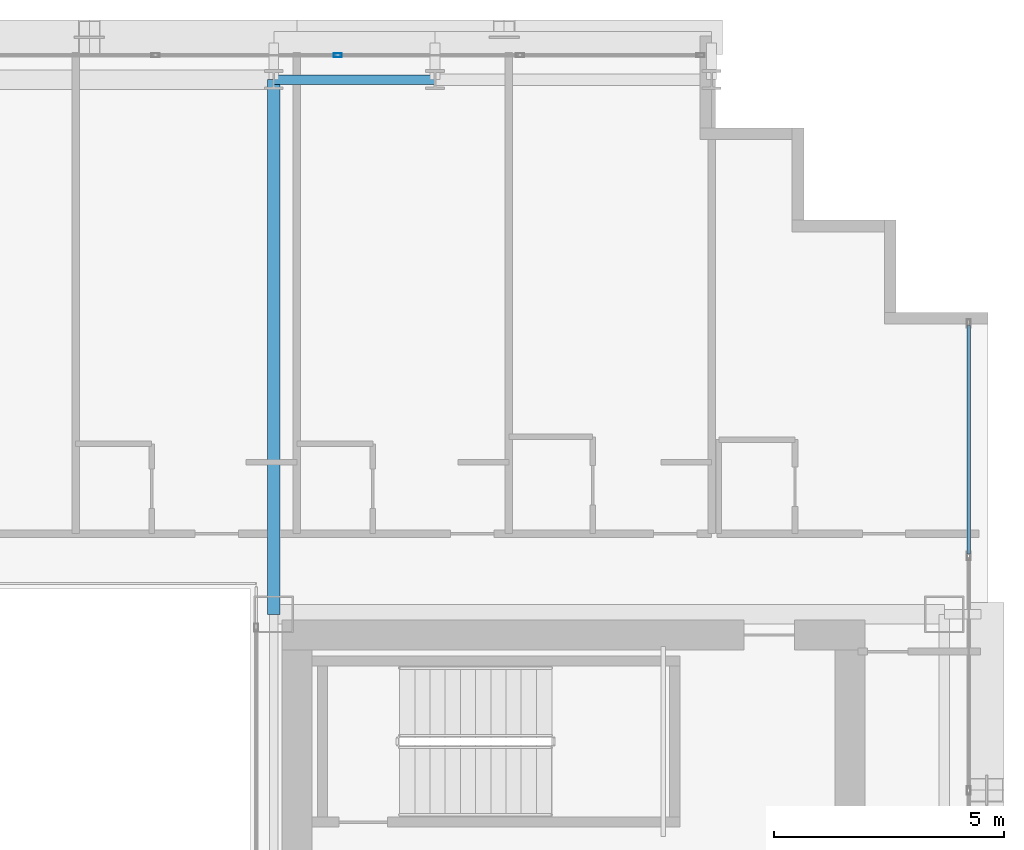
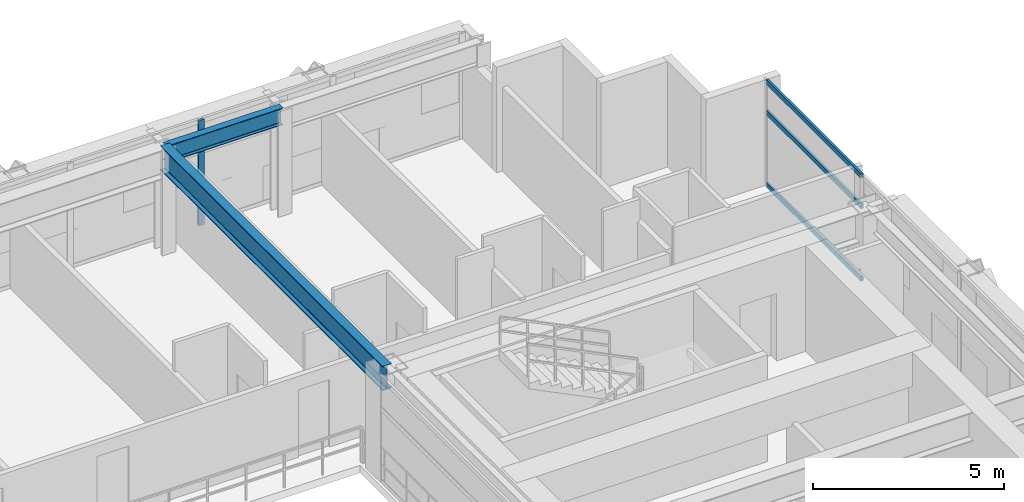
# One storey, part 24 of 39: 4 members, 2 beams, 2 elements without a shape of their own.
"""IFC4 building model written with IfcOpenShell, lengths in metres."""

from ifc_helpers import new_model, si_unit, direction, frame, origin, origin_2d, place, context, subcontext, project, spatial, hollow_rectangle, i_section, extrude, source, transform, mapped, material, layer, layer_set, material_profile, profile_set, type_object, element, aggregate, save


model = new_model("IFC4")

# Units and contexts
model_context = context("Model", 3, precision=1e-05, world=origin(), true_north=direction((0.0, 1.0)))
body_context = subcontext(model_context, "Body", "Model", "MODEL_VIEW")
ifc_project = project(units=[si_unit("LENGTHUNIT", "METRE"), si_unit("AREAUNIT", "SQUARE_METRE"), si_unit("VOLUMEUNIT", "CUBIC_METRE"), si_unit("PLANEANGLEUNIT", "RADIAN"), si_unit("MASSUNIT", "GRAM", prefix="KILO")], contexts=[model_context])

# Site, building, storey
site_placement = place(None, origin())
site = spatial("IfcSite", under=ifc_project, at=site_placement, CompositionType="ELEMENT")
building_placement = place(site_placement, origin())
building = spatial("IfcBuilding", under=site, at=building_placement, Name="Ocotamira Hotel", CompositionType="ELEMENT")
storey_placement = place(building_placement, frame((0.0, 0.0, 104.39990234375)))
storey = spatial("IfcBuildingStorey", under=building, at=storey_placement, Name="L25", CompositionType="ELEMENT", Elevation=104.39990234375)

# Beams
ifc_material_1 = material(Name="Steel ASTM A992 Grade 50", Category="steel")
ifc_material_profile_1 = material_profile(ifc_material_1, i_section(OverallWidth=0.2099609375, OverallDepth=0.537109375, WebThickness=0.010986328125, FlangeThickness=0.017333984375, FilletRadius=0.012939453125, at=origin_2d()), Name="W21X68")
ifc_profile_set_1 = profile_set([ifc_material_profile_1], Name="Steel ASTM A992 Grade 50")
beam_type_1 = type_object("IfcBeamType", Name="BM-SEC-W21X68", PredefinedType="JOIST", material=ifc_profile_set_1)
shared_shape_1 = source(origin(), body_context, "Body", "SweptSolid", [
    extrude(i_section(OverallWidth=0.2099609375, OverallDepth=0.537109375, WebThickness=0.010986328125, FlangeThickness=0.017333984375, FilletRadius=0.012939453125, at=origin_2d()), origin(), (0.0, 0.0, 1.0), 3.5),
])
beam_1_placement = place(storey_placement, frame((40.5, 49.050048828125, 3.091552734375), z_axis=(1.0, 0.0, 0.0), x_axis=(0.0, 1.0, 0.0)))
element("IfcBeam", 1, at=beam_1_placement, inside=storey, type_object=beam_type_1, Name="L25 Girder Y49.05 X40.5-44", PredefinedType="JOIST", context=body_context, shape_type="MappedRepresentation", body=[
    mapped(shared_shape_1, transform((0.0, 0.0, 0.0), scale=1.0)),
])
ifc_material_profile_2 = material_profile(ifc_material_1, i_section(OverallWidth=0.26611328125, OverallDepth=0.779052734375, WebThickness=0.0166015625, FlangeThickness=0.030029296875, FilletRadius=0.01806640625, at=origin_2d()), Name="W30X148")
ifc_profile_set_2 = profile_set([ifc_material_profile_2], Name="Steel ASTM A992 Grade 50")
beam_type_2 = type_object("IfcBeamType", Name="BM-GIRD-W30X148", PredefinedType="BEAM", material=ifc_profile_set_2)
shared_shape_2 = source(origin(), body_context, "Body", "SweptSolid", [
    extrude(i_section(OverallWidth=0.26611328125, OverallDepth=0.779052734375, WebThickness=0.0166015625, FlangeThickness=0.030029296875, FilletRadius=0.01806640625, at=origin_2d()), origin(), (0.0, 0.0, 1.0), 11.60009765625),
])
beam_2_placement = place(storey_placement, frame((40.5, 37.449951171875, 2.970703125), z_axis=(0.0, 1.0, 0.0), x_axis=(-1.0, 0.0, 0.0)))
element("IfcBeam", 2, at=beam_2_placement, inside=storey, type_object=beam_type_2, Name="L25 Beam X40.5 Y37.45-49.05", PredefinedType="BEAM", context=body_context, shape_type="MappedRepresentation", body=[
    mapped(shared_shape_2, transform((0.0, 0.0, 0.0), scale=1.0)),
])

# Curtain wall, members
ifc_material_2 = material(Name="Anodised pale-metal aluminium and solar glass", Category="aluminium")
ifc_layer = layer(ifc_material_2, 0.179931640625)
ifc_layer_set = layer_set([ifc_layer], Name="Anodised pale-metal aluminium and solar glass")
curtain_wall_type = type_object("IfcCurtainWallType", Name="CW-SYS3-Z2", PredefinedType="NOTDEFINED", material=ifc_layer_set)
curtain_wall_1_placement = place(storey_placement, origin())
curtain_wall_1 = element("IfcCurtainWall", 3, at=curtain_wall_1_placement, inside=storey, type_object=curtain_wall_type, Name="L25 Curtain Wall CW-3 CW-L25-E", PredefinedType="NOTDEFINED")
ifc_material_3 = material(Name="Anodised pale-metal aluminium 6063-T6", Category="aluminium")
ifc_material_profile_3 = material_profile(ifc_material_3, hollow_rectangle(XDim=0.074951171875, YDim=0.14990234375, WallThickness=0.006103515625, at=origin_2d()), Name="HSS150X75X6")
ifc_profile_set_3 = profile_set([ifc_material_profile_3], Name="Anodised pale-metal aluminium 6063-T6")
member_type_1 = type_object("IfcMemberType", Name="CWT-150X75", PredefinedType="USERDEFINED", material=ifc_profile_set_3)
shared_shape_3 = source(origin(), body_context, "Body", "SweptSolid", [
    extrude(hollow_rectangle(XDim=0.074951171875, YDim=0.14990234375, WallThickness=0.006103515625, at=origin_2d()), origin(), (0.0, 0.0, 1.0), 4.965576171875),
])
member_1_placement = place(storey_placement, frame((55.580078125, 38.75439453125, 0.03759765625), z_axis=(0.0, 1.0, 0.0), x_axis=(-1.0, 0.0, 0.0)))
member_1 = element("IfcMember", 4, at=member_1_placement, type_object=member_type_1, Name="CW-3 transom 7.1", ObjectType="TRANSOM", PredefinedType="USERDEFINED", context=body_context, shape_type="MappedRepresentation", body=[
    mapped(shared_shape_3, transform((0.0, 0.0, 0.0), scale=1.0)),
])
member_2_placement = place(storey_placement, frame((55.580078125, 38.75439453125, 2.35009765625), z_axis=(0.0, 1.0, 0.0), x_axis=(-1.0, 0.0, 0.0)))
member_2 = element("IfcMember", 5, at=member_2_placement, type_object=member_type_1, Name="CW-3 transom 7.2", ObjectType="TRANSOM", PredefinedType="USERDEFINED", context=body_context, shape_type="MappedRepresentation", body=[
    mapped(shared_shape_3, transform((0.0, 0.0, 0.0), scale=1.0)),
])
member_3_placement = place(storey_placement, frame((55.580078125, 38.75439453125, 3.322509765625), z_axis=(0.0, 1.0, 0.0), x_axis=(-1.0, 0.0, 0.0)))
member_3 = element("IfcMember", 6, at=member_3_placement, type_object=member_type_1, Name="CW-3 transom 7.3", ObjectType="TRANSOM", PredefinedType="USERDEFINED", context=body_context, shape_type="MappedRepresentation", body=[
    mapped(shared_shape_3, transform((0.0, 0.0, 0.0), scale=1.0)),
])
aggregate(curtain_wall_1, [member_1, member_2, member_3])

# Curtain wall, member
curtain_wall_2_placement = place(storey_placement, origin())
curtain_wall_2 = element("IfcCurtainWall", 7, at=curtain_wall_2_placement, inside=storey, type_object=curtain_wall_type, Name="L25 Curtain Wall CW-3 CW-L25-N", PredefinedType="NOTDEFINED")
ifc_material_profile_4 = material_profile(ifc_material_3, hollow_rectangle(XDim=0.080078125, YDim=0.179931640625, WallThickness=0.006103515625, at=origin_2d()), Name="HSS180X80X6")
ifc_profile_set_4 = profile_set([ifc_material_profile_4], Name="Anodised pale-metal aluminium 6063-T6")
member_type_2 = type_object("IfcMemberType", Name="CWM-180X75", PredefinedType="MULLION", material=ifc_profile_set_4)
shared_shape_4 = source(origin(), body_context, "Body", "SweptSolid", [
    extrude(hollow_rectangle(XDim=0.080078125, YDim=0.179931640625, WallThickness=0.006103515625, at=origin_2d()), origin(), (0.0, 0.0, 1.0), 3.360107421875),
])
member_4_placement = place(storey_placement, frame((41.888916015625, 49.580078125, 0.0), z_axis=(0.0, 0.0, 1.0), x_axis=(0.0, 1.0, 0.0)))
member_4 = element("IfcMember", 8, at=member_4_placement, type_object=member_type_2, Name="CW-3 mullion 8", PredefinedType="MULLION", context=body_context, shape_type="MappedRepresentation", body=[
    mapped(shared_shape_4, transform((0.0, 0.0, 0.0), scale=1.0)),
])
aggregate(curtain_wall_2, [member_4])

save(model, "model.ifc")
